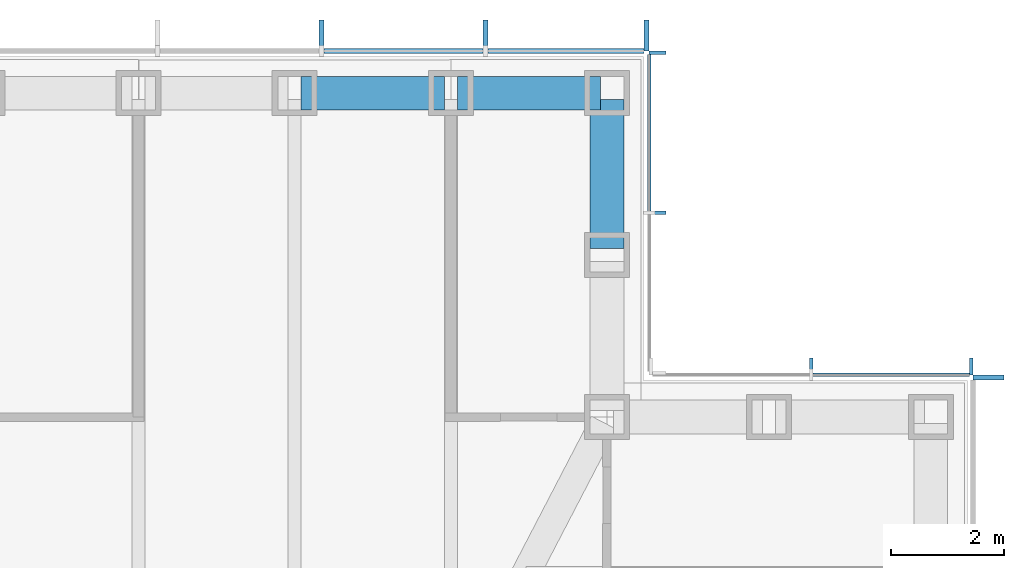
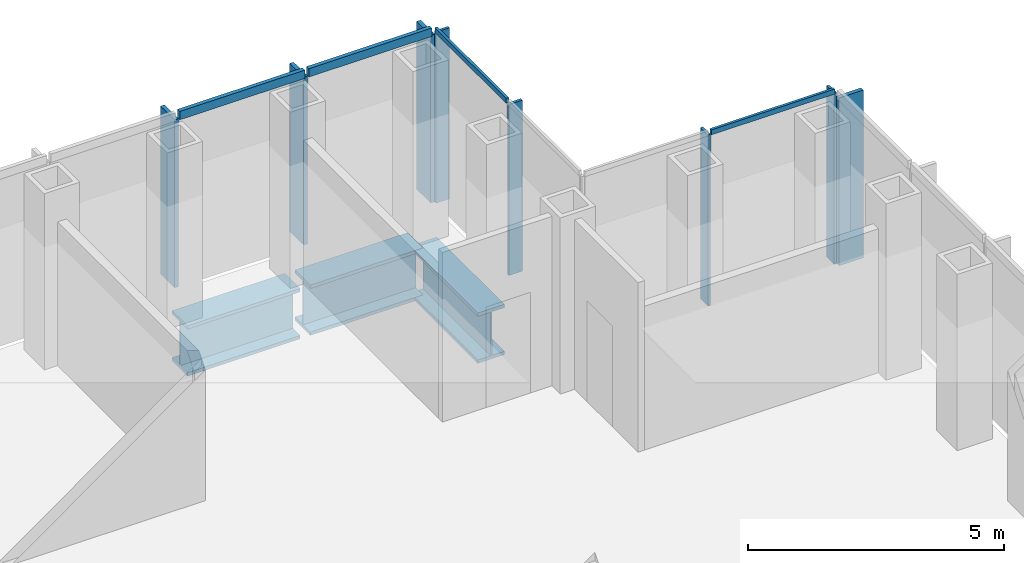
# One storey, part 6 of 16: 12 members, 3 beams, 4 elements without a shape of their own.
"""IFC4 building model written with IfcOpenShell, lengths in metres."""

from ifc_helpers import new_model, si_unit, direction, frame, origin, origin_2d, place, context, subcontext, project, spatial, rectangle, i_section, extrude, material, material_profile, profile_set, type_object, element, aggregate, save


model = new_model("IFC4")

# Units and contexts
model_context = context("Model", 3, precision=1e-05, world=origin(), true_north=direction((0.0, 1.0)))
body_context = subcontext(model_context, "Body", "Model", "MODEL_VIEW")
ifc_project = project(units=[si_unit("LENGTHUNIT", "METRE"), si_unit("AREAUNIT", "SQUARE_METRE"), si_unit("VOLUMEUNIT", "CUBIC_METRE"), si_unit("PLANEANGLEUNIT", "RADIAN"), si_unit("MASSUNIT", "GRAM", prefix="KILO")], contexts=[model_context])

# Site, building, storey
site_placement = place(None, origin())
site = spatial("IfcSite", under=ifc_project, at=site_placement, CompositionType="ELEMENT")
building_placement = place(site_placement, origin())
building = spatial("IfcBuilding", under=site, at=building_placement, Name="Daluyong Arena Tower", CompositionType="ELEMENT")
storey_placement = place(building_placement, frame((0.0, 0.0, 262.89990234375)))
storey = spatial("IfcBuildingStorey", under=building, at=storey_placement, Name="L59", CompositionType="ELEMENT", Elevation=262.89990234375)

# Curtain wall, member
ifc_material_1 = material(Name="Bronze anodised aluminium and glass", Category="aluminium")
curtain_wall_type_1 = type_object("IfcCurtainWallType", Name="Curtain wall CW4", PredefinedType="USERDEFINED", material=ifc_material_1)
curtain_wall_1_placement = place(storey_placement, origin())
curtain_wall_1 = element("IfcCurtainWall", 1, at=curtain_wall_1_placement, inside=storey, type_object=curtain_wall_type_1, Name="curtain wall L59 E", ObjectType="UNITISED CURTAIN WALL", PredefinedType="USERDEFINED")
ifc_material_2 = material(Name="Bronze anodised aluminium fin", Category="aluminium")
ifc_material_profile_1 = material_profile(ifc_material_2, rectangle(XDim=0.550048828125, YDim=0.090087890625, at=origin_2d()))
ifc_profile_set_1 = profile_set([ifc_material_profile_1], Name="Bronze anodised aluminium fin")
member_type_1 = type_object("IfcMemberType", Name="CW4 bronze fin 550x90", PredefinedType="MULLION", material=ifc_profile_set_1)
member_1_placement = place(storey_placement, frame((78.02490234375, 95.955078125, 0.0), z_axis=(0.0, 0.0, 1.0), x_axis=(-1.0, 0.0, 0.0)))
member_1 = element("IfcMember", 2, at=member_1_placement, type_object=member_type_1, Name="curtain wall L59 E fin 12", PredefinedType="MULLION", context=body_context, shape_type="SweptSolid", body=[
    extrude(rectangle(XDim=0.550048828125, YDim=0.090087890625, at=origin_2d()), origin(), (0.0, 0.0, 1.0), 4.0),
])
aggregate(curtain_wall_1, [member_1])

# Curtain wall, members
curtain_wall_2_placement = place(storey_placement, origin())
curtain_wall_2 = element("IfcCurtainWall", 3, at=curtain_wall_2_placement, inside=storey, type_object=curtain_wall_type_1, Name="curtain wall L59 N", ObjectType="UNITISED CURTAIN WALL", PredefinedType="USERDEFINED")
member_2_placement = place(storey_placement, frame((71.955078125, 102.02490234375, 0.0), z_axis=(0.0, 0.0, 1.0), x_axis=(0.0, -1.0, 0.0)))
member_2 = element("IfcMember", 4, at=member_2_placement, type_object=member_type_1, Name="curtain wall L59 N fin 1", PredefinedType="MULLION", context=body_context, shape_type="SweptSolid", body=[
    extrude(rectangle(XDim=0.550048828125, YDim=0.090087890625, at=origin_2d()), origin(), (0.0, 0.0, 1.0), 4.0),
])
member_3_placement = place(storey_placement, frame((69.0908203125, 102.02490234375, 0.0), z_axis=(0.0, 0.0, 1.0), x_axis=(0.0, -1.0, 0.0)))
member_3 = element("IfcMember", 5, at=member_3_placement, type_object=member_type_1, Name="curtain wall L59 N fin 2", PredefinedType="MULLION", context=body_context, shape_type="SweptSolid", body=[
    extrude(rectangle(XDim=0.550048828125, YDim=0.090087890625, at=origin_2d()), origin(), (0.0, 0.0, 1.0), 4.0),
])
member_4_placement = place(storey_placement, frame((66.181884765625, 102.02490234375, 0.0), z_axis=(0.0, 0.0, 1.0), x_axis=(0.0, -1.0, 0.0)))
member_4 = element("IfcMember", 6, at=member_4_placement, type_object=member_type_1, Name="curtain wall L59 N fin 3", PredefinedType="MULLION", context=body_context, shape_type="SweptSolid", body=[
    extrude(rectangle(XDim=0.550048828125, YDim=0.090087890625, at=origin_2d()), origin(), (0.0, 0.0, 1.0), 4.0),
])
ifc_material_3 = material(Name="Bronze anodised aluminium", Category="aluminium")
ifc_material_profile_2 = material_profile(ifc_material_3, rectangle(XDim=0.090087890625, YDim=0.199951171875, at=origin_2d()))
ifc_profile_set_2 = profile_set([ifc_material_profile_2], Name="Bronze anodised aluminium")
member_type_2 = type_object("IfcMemberType", Name="CW4 stack transom 200x90", PredefinedType="USERDEFINED", material=ifc_profile_set_2)
member_5_placement = place(storey_placement, frame((71.909912109375, 101.75, 4.10009765625), z_axis=(-1.0, 0.0, 0.0), x_axis=(0.0, -1.0, 0.0)))
member_5 = element("IfcMember", 7, at=member_5_placement, type_object=member_type_2, Name="curtain wall L59 N transom 1", ObjectType="TRANSOM", PredefinedType="USERDEFINED", context=body_context, shape_type="SweptSolid", body=[
    extrude(rectangle(XDim=0.090087890625, YDim=0.199951171875, at=origin_2d()), origin(), (0.0, 0.0, 1.0), 2.77392578125),
])
member_6_placement = place(storey_placement, frame((69.0458984375, 101.75, 4.10009765625), z_axis=(-1.0, 0.0, 0.0), x_axis=(0.0, -1.0, 0.0)))
member_6 = element("IfcMember", 8, at=member_6_placement, type_object=member_type_2, Name="curtain wall L59 N transom 2", ObjectType="TRANSOM", PredefinedType="USERDEFINED", context=body_context, shape_type="SweptSolid", body=[
    extrude(rectangle(XDim=0.090087890625, YDim=0.199951171875, at=origin_2d()), origin(), (0.0, 0.0, 1.0), 2.819091796875),
])
aggregate(curtain_wall_2, [member_2, member_3, member_4, member_5, member_6])

ifc_material_4 = material(Name="Bronze anodised aluminium and glass", Category="aluminium")
curtain_wall_type_2 = type_object("IfcCurtainWallType", Name="Curtain wall CW7", PredefinedType="USERDEFINED", material=ifc_material_4)
curtain_wall_3_placement = place(storey_placement, origin())
curtain_wall_3 = element("IfcCurtainWall", 9, at=curtain_wall_3_placement, inside=storey, type_object=curtain_wall_type_2, Name="curtain wall L59 NE-N", ObjectType="UNITISED CURTAIN WALL", PredefinedType="USERDEFINED")
ifc_material_5 = material(Name="Bronze anodised aluminium fin", Category="aluminium")
ifc_material_profile_3 = material_profile(ifc_material_5, rectangle(XDim=0.300048828125, YDim=0.06005859375, at=origin_2d()))
ifc_profile_set_3 = profile_set([ifc_material_profile_3], Name="Bronze anodised aluminium fin")
member_type_3 = type_object("IfcMemberType", Name="CW7 bronze fin 300x60", PredefinedType="MULLION", material=ifc_profile_set_3)
member_7_placement = place(storey_placement, frame((77.719970703125, 96.14990234375, 0.0), z_axis=(0.0, 0.0, 1.0), x_axis=(0.0, -1.0, 0.0)))
member_7 = element("IfcMember", 10, at=member_7_placement, type_object=member_type_3, Name="curtain wall L59 NE-N fin 1", PredefinedType="MULLION", context=body_context, shape_type="SweptSolid", body=[
    extrude(rectangle(XDim=0.300048828125, YDim=0.06005859375, at=origin_2d()), origin(), (0.0, 0.0, 1.0), 4.080078125),
])
member_8_placement = place(storey_placement, frame((74.875, 96.14990234375, 0.0), z_axis=(0.0, 0.0, 1.0), x_axis=(0.0, -1.0, 0.0)))
member_8 = element("IfcMember", 11, at=member_8_placement, type_object=member_type_3, Name="curtain wall L59 NE-N fin 2", PredefinedType="MULLION", context=body_context, shape_type="SweptSolid", body=[
    extrude(rectangle(XDim=0.300048828125, YDim=0.06005859375, at=origin_2d()), origin(), (0.0, 0.0, 1.0), 4.080078125),
])

curtain_wall_4_placement = place(storey_placement, origin())
curtain_wall_4 = element("IfcCurtainWall", 12, at=curtain_wall_4_placement, inside=storey, type_object=curtain_wall_type_2, Name="curtain wall L59 NE-E", ObjectType="UNITISED CURTAIN WALL", PredefinedType="USERDEFINED")
member_9_placement = place(storey_placement, frame((72.14990234375, 98.875, 0.0), z_axis=(0.0, 0.0, 1.0), x_axis=(-1.0, 0.0, 0.0)))
member_9 = element("IfcMember", 13, at=member_9_placement, type_object=member_type_3, Name="curtain wall L59 NE-E fin 2", PredefinedType="MULLION", context=body_context, shape_type="SweptSolid", body=[
    extrude(rectangle(XDim=0.300048828125, YDim=0.06005859375, at=origin_2d()), origin(), (0.0, 0.0, 1.0), 4.080078125),
])
member_10_placement = place(storey_placement, frame((72.14990234375, 101.719970703125, 0.0), z_axis=(0.0, 0.0, 1.0), x_axis=(-1.0, 0.0, 0.0)))
member_10 = element("IfcMember", 14, at=member_10_placement, type_object=member_type_3, Name="curtain wall L59 NE-E fin 3", PredefinedType="MULLION", context=body_context, shape_type="SweptSolid", body=[
    extrude(rectangle(XDim=0.300048828125, YDim=0.06005859375, at=origin_2d()), origin(), (0.0, 0.0, 1.0), 4.080078125),
])

# Member
ifc_material_6 = material(Name="Bronze anodised aluminium", Category="aluminium")
ifc_material_profile_4 = material_profile(ifc_material_6, rectangle(XDim=0.06005859375, YDim=0.1201171875, at=origin_2d()))
ifc_profile_set_4 = profile_set([ifc_material_profile_4], Name="Bronze anodised aluminium")
member_type_4 = type_object("IfcMemberType", Name="CW7 stack transom 120x60", PredefinedType="USERDEFINED", material=ifc_profile_set_4)
member_11_placement = place(storey_placement, frame((77.68994140625, 96.0, 4.14013671875), z_axis=(-1.0, 0.0, 0.0), x_axis=(0.0, -1.0, 0.0)))
member_11 = element("IfcMember", 15, at=member_11_placement, type_object=member_type_4, Name="curtain wall L59 NE-N transom 1", ObjectType="TRANSOM", PredefinedType="USERDEFINED", context=body_context, shape_type="SweptSolid", body=[
    extrude(rectangle(XDim=0.06005859375, YDim=0.1201171875, at=origin_2d()), origin(), (0.0, 0.0, 1.0), 2.784912109375),
])

aggregate(curtain_wall_3, [member_7, member_8, member_11])

member_12_placement = place(storey_placement, frame((72.0, 98.905029296875, 4.14013671875), z_axis=(0.0, 1.0, 0.0), x_axis=(-1.0, 0.0, 0.0)))
member_12 = element("IfcMember", 16, at=member_12_placement, type_object=member_type_4, Name="curtain wall L59 NE-E transom 2", ObjectType="TRANSOM", PredefinedType="USERDEFINED", context=body_context, shape_type="SweptSolid", body=[
    extrude(rectangle(XDim=0.06005859375, YDim=0.1201171875, at=origin_2d()), origin(), (0.0, 0.0, 1.0), 2.784912109375),
])

aggregate(curtain_wall_4, [member_9, member_10, member_12])

# Beams
ifc_material_7 = material(Name="Steel ASTM A572 Grade 50", Category="steel")
ifc_material_profile_5 = material_profile(ifc_material_7, i_section(OverallWidth=0.60009765625, OverallDepth=1.199951171875, WebThickness=0.03, FlangeThickness=0.08, at=origin_2d()))
ifc_profile_set_5 = profile_set([ifc_material_profile_5], Name="Steel ASTM A572 Grade 50")
beam_type = type_object("IfcBeamType", Name="Spandrel Z4 PG1200X600", PredefinedType="SPANDREL", material=ifc_profile_set_5)
beam_placement = place(storey_placement, frame((71.25, 98.239990234375, -0.760009765625), z_axis=(0.0, 1.0, 0.0), x_axis=(-1.0, 0.0, 0.0)))
element("IfcBeam", 17, at=beam_placement, inside=storey, type_object=beam_type, Name="spandrel z4 SB9", PredefinedType="SPANDREL", context=body_context, shape_type="SweptSolid", body=[
    extrude(i_section(OverallWidth=0.60009765625, OverallDepth=1.199951171875, WebThickness=0.03, FlangeThickness=0.08, at=origin_2d()), origin(), (0.0, 0.0, 1.0), 2.64501953125),
])
for number, where, z_axis, x_axis, name in (
    (18, (71.135009765625, 101.0, -0.760009765625), (-1.0, 0.0, 0.0), (0.0, -1.0, 0.0), "spandrel z4 SB9"),
    (19, (68.3623046875, 101.0, -0.760009765625), (-1.0, 0.0, 0.0), (0.0, -1.0, 0.0), "spandrel z4 SB9"),
):
    element("IfcBeam", number, at=place(storey_placement, frame(where, z_axis=z_axis, x_axis=x_axis)), inside=storey, type_object=beam_type, Name=name, PredefinedType="SPANDREL", context=body_context, shape_type="SweptSolid", body=[
        extrude(i_section(OverallWidth=0.60009765625, OverallDepth=1.199951171875, WebThickness=0.03, FlangeThickness=0.08, at=origin_2d()), origin(), (0.0, 0.0, 1.0), 2.542724609375),
    ])

save(model, "model.ifc")
